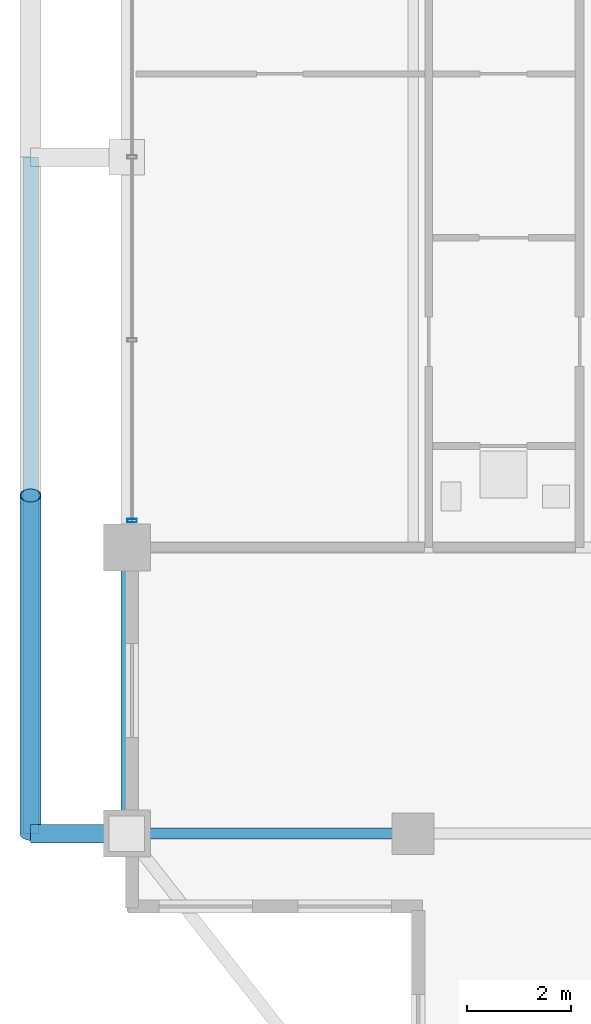
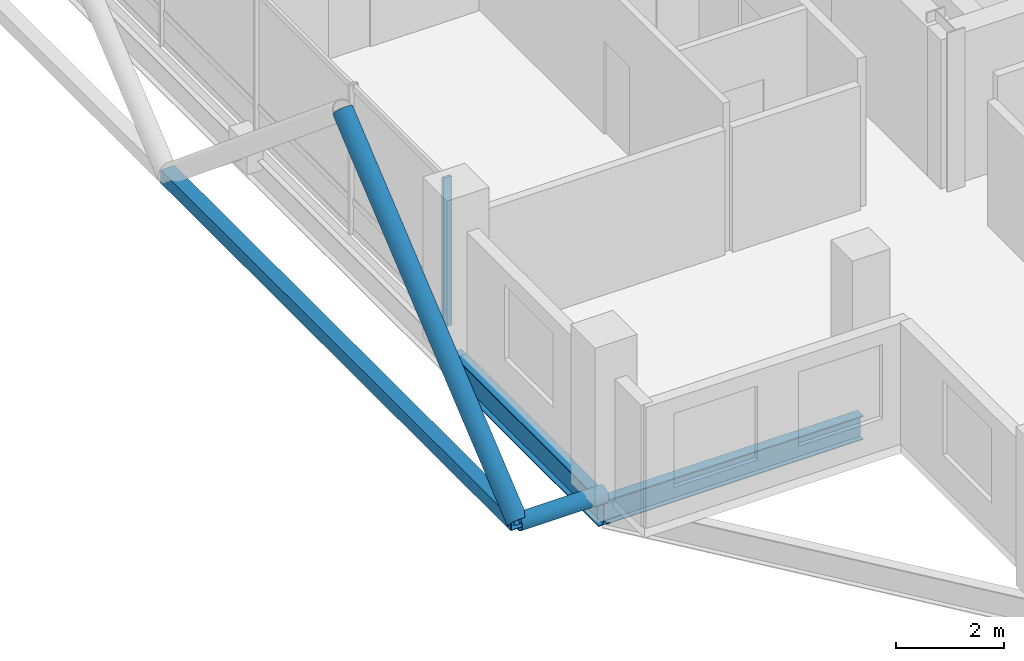
# One storey, part 3 of 24: 4 members, 2 beams, 1 element without a shape of its own.
"""IFC4 building model written with IfcOpenShell, lengths in metres."""

from ifc_helpers import new_model, si_unit, direction, frame, origin, origin_2d, place, context, subcontext, project, spatial, hollow_rectangle, hollow_circle, i_section, extrude, material, layer, layer_set, material_profile, profile_set, type_object, element, aggregate, save


model = new_model("IFC4")

# Units and contexts
model_context = context("Model", 3, precision=1e-05, world=origin(), true_north=direction((0.0, 1.0)))
body_context = subcontext(model_context, "Body", "Model", "MODEL_VIEW")
ifc_project = project(units=[si_unit("LENGTHUNIT", "METRE"), si_unit("AREAUNIT", "SQUARE_METRE"), si_unit("VOLUMEUNIT", "CUBIC_METRE"), si_unit("PLANEANGLEUNIT", "RADIAN"), si_unit("MASSUNIT", "GRAM", prefix="KILO")], contexts=[model_context])

# Site, building, storey
site_placement = place(None, origin())
site = spatial("IfcSite", under=ifc_project, at=site_placement, CompositionType="ELEMENT")
building_placement = place(site_placement, origin())
building = spatial("IfcBuilding", under=site, at=building_placement, Name="Barlavira Tower and Art Museum", CompositionType="ELEMENT")
storey_placement = place(building_placement, frame((0.0, 0.0, 294.300048828125)))
storey = spatial("IfcBuildingStorey", under=building, at=storey_placement, Name="L77", CompositionType="ELEMENT", Elevation=294.300048828125)

# Curtain wall, member
ifc_material_1 = material(Name="Low-iron coastal laminated glass", Category="glass")
ifc_layer = layer(ifc_material_1, 0.2099609375, Name="Low-iron coastal laminated glass")
ifc_layer_set = layer_set([ifc_layer], Name="Low-iron coastal laminated glass")
curtain_wall_type = type_object("IfcCurtainWallType", Name="Pale-Metal Unitised Curtain Wall Zone 4", PredefinedType="NOTDEFINED", material=ifc_layer_set)
curtain_wall_placement = place(storey_placement, origin())
curtain_wall = element("IfcCurtainWall", 1, at=curtain_wall_placement, inside=storey, type_object=curtain_wall_type, Name="L77 Curtain Wall CW4-L77-W-B3", PredefinedType="NOTDEFINED")
ifc_material_2 = material(Name="Pale anodised aluminium", Category="aluminium")
ifc_material_profile_1 = material_profile(ifc_material_2, hollow_rectangle(XDim=0.06494140625, YDim=0.179931640625, WallThickness=0.00390625, at=origin_2d()), Name="ALU-MULL 65x180x4")
ifc_profile_set_1 = profile_set([ifc_material_profile_1], Name="Pale anodised aluminium")
member_type_1 = type_object("IfcMemberType", Name="Curtain Wall Pale-Metal Mullion 65x180", PredefinedType="MULLION", material=ifc_profile_set_1)
member_1_placement = place(storey_placement, frame((-16.89990234375, -6.985107421875, 0.0), z_axis=(0.0, 0.0, 1.0), x_axis=(0.0, -1.0, 0.0)))
member_1 = element("IfcMember", 2, at=member_1_placement, type_object=member_type_1, Name="CW4-L77-W-B3 Mullion 4", PredefinedType="MULLION", context=body_context, shape_type="SweptSolid", body=[
    extrude(hollow_rectangle(XDim=0.06494140625, YDim=0.179931640625, WallThickness=0.00390625, at=origin_2d()), origin(), (0.0, 0.0, 1.0), 3.3798828125),
])
aggregate(curtain_wall, [member_1])

# Members
ifc_material_3 = material(Name="Steel S355", Category="steel")
ifc_material_profile_2 = material_profile(ifc_material_3, hollow_circle(Radius=0.203125, WallThickness=0.01611328125, at=origin_2d()), Name="CHS 406.4x16.0")
ifc_profile_set_2 = profile_set([ifc_material_profile_2], Name="Steel S355")
member_type_2 = type_object("IfcMemberType", Name="Pale-Metal Exoskeleton Diagrid Tube CHS 406x16 Steel S355", PredefinedType="BRACE", material=ifc_profile_set_2)
member_2_placement = place(storey_placement, frame((-18.85009765625, -13.0, -0.1201171875), z_axis=(0.0, 0.76918185268, 0.639029950399), x_axis=(-1.0, 0.0, 0.0)))
element("IfcMember", 3, at=member_2_placement, inside=storey, type_object=member_type_2, Name="L77 Exoskeleton Diagrid Tube W", PredefinedType="BRACE", context=body_context, shape_type="SweptSolid", body=[
    extrude(hollow_circle(Radius=0.203125, WallThickness=0.01611328125, at=origin_2d()), origin(), (0.0, 0.0, 1.0), 8.450439453125),
])
ifc_material_profile_3 = material_profile(ifc_material_3, hollow_circle(Radius=0.177734375, WallThickness=0.01611328125, at=origin_2d()), Name="CHS 355.6x16.0")
ifc_profile_set_3 = profile_set([ifc_material_profile_3], Name="Steel S355")
member_type_3 = type_object("IfcMemberType", Name="Pale-Metal Exoskeleton Tie Strut CHS 356x16 Steel S355", PredefinedType="STRUT", material=ifc_profile_set_3)
member_3_placement = place(storey_placement, frame((-18.85009765625, -13.0, -0.1201171875), z_axis=(1.0, 0.0, 0.0), x_axis=(0.0, 1.0, 0.0)))
element("IfcMember", 4, at=member_3_placement, inside=storey, type_object=member_type_3, Name="L77 Exoskeleton Tie Strut W1", PredefinedType="STRUT", context=body_context, shape_type="SweptSolid", body=[
    extrude(hollow_circle(Radius=0.177734375, WallThickness=0.01611328125, at=origin_2d()), origin(), (0.0, 0.0, 1.0), 1.85009765625),
])
ifc_material_profile_4 = material_profile(ifc_material_3, hollow_rectangle(XDim=0.300048828125, YDim=0.300048828125, WallThickness=0.01611328125, at=origin_2d()), Name="SHS 300x300x16.0")
ifc_profile_set_4 = profile_set([ifc_material_profile_4], Name="Steel S355")
member_type_4 = type_object("IfcMemberType", Name="Pale-Metal Upper Ring Strut SHS 300x300x16 Steel S355", PredefinedType="STRUT", material=ifc_profile_set_4)
member_4_placement = place(storey_placement, frame((-18.85009765625, -13.0, -0.1201171875), z_axis=(0.0, 1.0, 0.0), x_axis=(-1.0, 0.0, 0.0)))
element("IfcMember", 5, at=member_4_placement, inside=storey, type_object=member_type_4, Name="L77 Exoskeleton Ring Strut W", PredefinedType="STRUT", context=body_context, shape_type="SweptSolid", body=[
    extrude(hollow_rectangle(XDim=0.300048828125, YDim=0.300048828125, WallThickness=0.01611328125, at=origin_2d()), origin(), (0.0, 0.0, 1.0), 13.0),
])

# Beams
ifc_material_profile_5 = material_profile(ifc_material_3, i_section(OverallWidth=0.22998046875, OverallDepth=0.616943359375, WebThickness=0.01318359375, FlangeThickness=0.022216796875, at=origin_2d()), Name="W610x140.0")
ifc_profile_set_5 = profile_set([ifc_material_profile_5], Name="Steel S355")
beam_type_1 = type_object("IfcBeamType", Name="Upper Shaft Spandrel Edge Beam W610x140 Steel S355", PredefinedType="SPANDREL", material=ifc_profile_set_5)
beam_1_placement = place(storey_placement, frame((-17.0, -13.0, -0.528564453125), z_axis=(0.0, 1.0, 0.0), x_axis=(-1.0, 0.0, 0.0)))
element("IfcBeam", 6, at=beam_1_placement, inside=storey, type_object=beam_type_1, Name="L77 Spandrel 15", PredefinedType="SPANDREL", context=body_context, shape_type="SweptSolid", body=[
    extrude(i_section(OverallWidth=0.22998046875, OverallDepth=0.616943359375, WebThickness=0.01318359375, FlangeThickness=0.022216796875, at=origin_2d()), origin(), (0.0, 0.0, 1.0), 5.5),
])
ifc_material_profile_6 = material_profile(ifc_material_3, i_section(OverallWidth=0.2109375, OverallDepth=0.5390625, WebThickness=0.01171875, FlangeThickness=0.018798828125, at=origin_2d()), Name="W530x109.0")
ifc_profile_set_6 = profile_set([ifc_material_profile_6], Name="Steel S355")
beam_type_2 = type_object("IfcBeamType", Name="Zone 3-4 Primary Floor Girder W530x109 Steel S355", PredefinedType="BEAM", material=ifc_profile_set_6)
beam_2_placement = place(storey_placement, frame((-17.0, -13.0, -0.489501953125), z_axis=(1.0, 0.0, 0.0), x_axis=(0.0, 1.0, 0.0)))
element("IfcBeam", 7, at=beam_2_placement, inside=storey, type_object=beam_type_2, Name="L77 Girder I-S1", PredefinedType="BEAM", context=body_context, shape_type="SweptSolid", body=[
    extrude(i_section(OverallWidth=0.2109375, OverallDepth=0.5390625, WebThickness=0.01171875, FlangeThickness=0.018798828125, at=origin_2d()), origin(), (0.0, 0.0, 1.0), 5.5),
])

save(model, "model.ifc")
